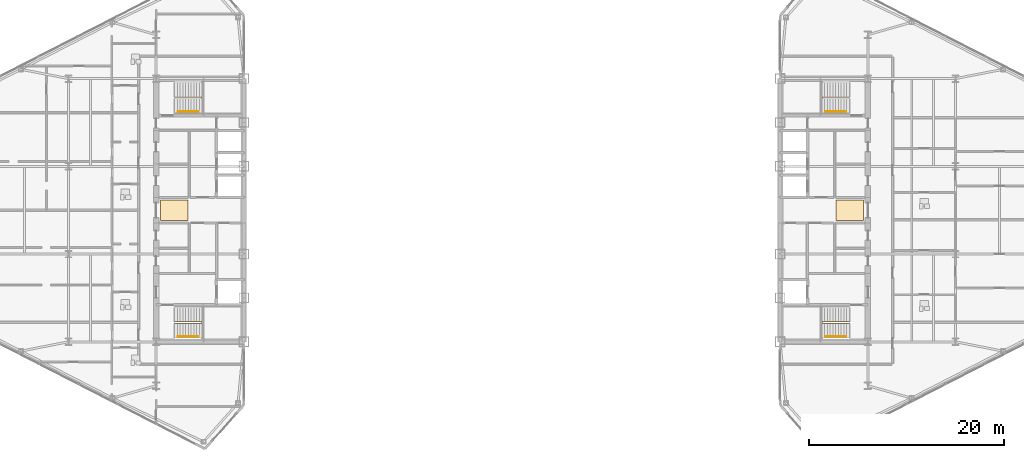
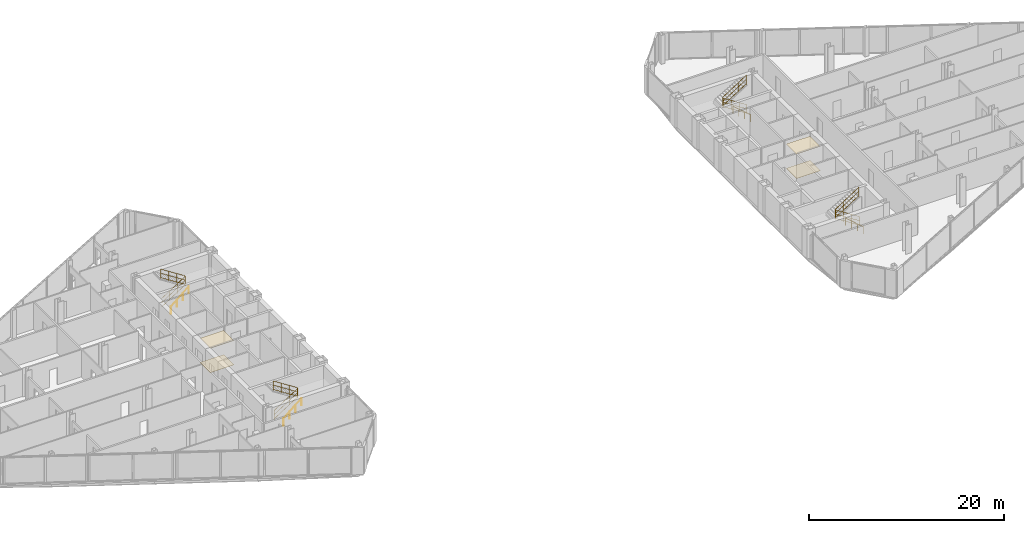
# One storey, part 22 of 23: 8 railings, 4 coverings.
"""IFC4 building model written with IfcOpenShell, lengths in metres."""

from ifc_helpers import new_model, si_unit, direction, frame, origin, origin_2d, place, context, subcontext, project, spatial, polyline, circle, outline, extrude, material, layer, layer_set, type_object, element, save


model = new_model("IFC4")

# Units and contexts
model_context = context("Model", 3, precision=1e-05, world=origin(), true_north=direction((0.0, 1.0)))
body_context = subcontext(model_context, "Body", "Model", "MODEL_VIEW")
ifc_project = project(units=[si_unit("LENGTHUNIT", "METRE"), si_unit("AREAUNIT", "SQUARE_METRE"), si_unit("VOLUMEUNIT", "CUBIC_METRE"), si_unit("PLANEANGLEUNIT", "RADIAN"), si_unit("MASSUNIT", "GRAM", prefix="KILO")], contexts=[model_context])

# Site, building, storey
site_placement = place(None, origin())
site = spatial("IfcSite", under=ifc_project, at=site_placement, CompositionType="ELEMENT")
building_placement = place(site_placement, origin())
building = spatial("IfcBuilding", under=site, at=building_placement, Name="Seokmaru Belvedere", CompositionType="ELEMENT")
storey_placement = place(building_placement, frame((0.0, 0.0, 147.60009765625)))
storey = spatial("IfcBuildingStorey", under=building, at=storey_placement, Name="L39", CompositionType="ELEMENT", Elevation=147.60009765625)

# Coverings
ifc_material_1 = material(Name="Engineered White Oak Timber", Category="wood")
ifc_layer_1 = layer(ifc_material_1, 0.02197265625)
ifc_layer_set_1 = layer_set([ifc_layer_1], Name="Engineered White Oak Timber")
covering_type_1 = type_object("IfcCoveringType", Name="Engineered Oak Residence Floor Finish 22", PredefinedType="FLOORING", material=ifc_layer_set_1)
covering_1_placement = place(storey_placement, origin())
element("IfcCovering", 1, at=covering_1_placement, inside=storey, type_object=covering_type_1, Name="L39 W Foyer Floor Finish", PredefinedType="FLOORING", context=body_context, shape_type="SweptSolid", body=[
    extrude(outline(polyline([(-36.050048828125, -1.050048828125), (-33.25, -1.050048828125), (-33.25, 1.050048828125), (-36.050048828125, 1.050048828125), (-36.050048828125, -1.050048828125)])), origin(), (0.0, 0.0, 1.0), 0.02197265625),
])
covering_2_placement = place(storey_placement, origin())
element("IfcCovering", 2, at=covering_2_placement, inside=storey, type_object=covering_type_1, Name="L39 E Foyer Floor Finish", PredefinedType="FLOORING", context=body_context, shape_type="SweptSolid", body=[
    extrude(outline(polyline([(33.25, -1.050048828125), (36.050048828125, -1.050048828125), (36.050048828125, 1.050048828125), (33.25, 1.050048828125), (33.25, -1.050048828125)])), origin(), (0.0, 0.0, 1.0), 0.02197265625),
])
ifc_material_2 = material(Name="Fire-Rated Gypsum Shaftwall")
ifc_layer_2 = layer(ifc_material_2, 0.02490234375)
ifc_layer_set_2 = layer_set([ifc_layer_2], Name="Fire-Rated Gypsum Shaftwall")
covering_type_2 = type_object("IfcCoveringType", Name="Perforated Acoustic Gypsum Suspended Ceiling 25", PredefinedType="CEILING", material=ifc_layer_set_2)
covering_3_placement = place(storey_placement, frame((0.0, 0.0, 3.02978515625)))
element("IfcCovering", 3, at=covering_3_placement, inside=storey, type_object=covering_type_2, Name="L39 W Lift Foyer Acoustic Ceiling", PredefinedType="CEILING", context=body_context, shape_type="SweptSolid", body=[
    extrude(outline(polyline([(-36.050048828125, -1.050048828125), (-33.25, -1.050048828125), (-33.25, 1.050048828125), (-36.050048828125, 1.050048828125), (-36.050048828125, -1.050048828125)])), origin(), (0.0, 0.0, 1.0), 0.025146484375),
])
covering_4_placement = place(storey_placement, frame((0.0, 0.0, 3.02978515625)))
element("IfcCovering", 4, at=covering_4_placement, inside=storey, type_object=covering_type_2, Name="L39 E Lift Foyer Acoustic Ceiling", PredefinedType="CEILING", context=body_context, shape_type="SweptSolid", body=[
    extrude(outline(polyline([(33.25, -1.050048828125), (36.050048828125, -1.050048828125), (36.050048828125, 1.050048828125), (33.25, 1.050048828125), (33.25, -1.050048828125)])), origin(), (0.0, 0.0, 1.0), 0.025146484375),
])

# Railings
ifc_material_3 = material(Name="Stainless Steel 316", Category="steel")
railing_type_1 = type_object("IfcRailingType", Name="Stainless Steel Wall and Flight Handrail 900", PredefinedType="HANDRAIL", material=ifc_material_3)
for number, where, name in (
    (5, (-34.25, -12.949951171875, 0.0), "L39 Stair ST-W1 Wall Handrail"),
    (6, (-34.25, 10.110107421875, 0.0), "L39 Stair ST-W2 Wall Handrail"),
):
    element("IfcRailing", number, at=place(storey_placement, frame(where)), inside=storey, type_object=railing_type_1, Name=name, PredefinedType="HANDRAIL", context=body_context, shape_type="SweptSolid", body=[
        extrude(circle(Radius=0.02392578125, at=origin_2d()), frame((0.0, 0.0, 0.8759765625), z_axis=(0.759306447245, 0.0, 0.650733216588), x_axis=(0.0, 1.0, 0.0)), (0.0, 0.0, 1.0), 2.765869140625),
        extrude(circle(Radius=0.02099609375, at=origin_2d()), origin(), (0.0, 0.0, 1.0), 0.851806640625),
        extrude(circle(Radius=0.02099609375, at=origin_2d()), frame((0.699951171875, 0.0, 0.599853515625)), (0.0, 0.0, 1.0), 0.851806640625),
        extrude(circle(Radius=0.02099609375, at=origin_2d()), frame((1.400146484375, 0.0, 1.199951171875)), (0.0, 0.0, 1.0), 0.851806640625),
        extrude(circle(Radius=0.02099609375, at=origin_2d()), frame((2.10009765625, 0.0, 1.7998046875)), (0.0, 0.0, 1.0), 0.851806640625),
    ])
for number, where, name in (
    (7, (34.25, -12.949951171875, 0.0), "L39 Stair ST-E1 Wall Handrail"),
    (8, (34.25, 10.110107421875, 0.0), "L39 Stair ST-E2 Wall Handrail"),
):
    element("IfcRailing", number, at=place(storey_placement, frame(where)), inside=storey, type_object=railing_type_1, Name=name, PredefinedType="HANDRAIL", context=body_context, shape_type="SweptSolid", body=[
        extrude(circle(Radius=0.02392578125, at=origin_2d()), frame((0.0, 0.0, 0.8759765625), z_axis=(-0.759306447245, 0.0, 0.650733216588), x_axis=(0.0, -1.0, 0.0)), (0.0, 0.0, 1.0), 2.765869140625),
        extrude(circle(Radius=0.02099609375, at=origin_2d()), origin(), (0.0, 0.0, 1.0), 0.851806640625),
        extrude(circle(Radius=0.02099609375, at=origin_2d()), frame((-0.699951171875, 0.0, 0.599853515625)), (0.0, 0.0, 1.0), 0.851806640625),
        extrude(circle(Radius=0.02099609375, at=origin_2d()), frame((-1.400146484375, 0.0, 1.199951171875)), (0.0, 0.0, 1.0), 0.851806640625),
        extrude(circle(Radius=0.02099609375, at=origin_2d()), frame((-2.10009765625, 0.0, 1.7998046875)), (0.0, 0.0, 1.0), 0.851806640625),
    ])
railing_type_2 = type_object("IfcRailingType", Name="Stair Well and Atrium Steel Guardrail 1200", PredefinedType="GUARDRAIL", material=ifc_material_3)
railing_1_placement = place(storey_placement, frame((-34.60009765625, -11.60009765625, 0.0)))
element("IfcRailing", 9, at=railing_1_placement, inside=storey, type_object=railing_type_2, Name="L39 Stair ST-W1 Inner Well Guardrail", PredefinedType="GUARDRAIL", context=body_context, shape_type="SweptSolid", body=[
    extrude(circle(Radius=0.02392578125, at=origin_2d()), frame((0.0, 0.0, 1.17578125), z_axis=(0.841209454229, 0.0, 0.540709398952), x_axis=(0.0, 1.0, 0.0)), (0.0, 0.0, 1.0), 3.32861328125),
    extrude(circle(Radius=0.02392578125, at=origin_2d()), frame((0.0, 0.0, 0.1201171875), z_axis=(0.841209454229, 0.0, 0.540709398952), x_axis=(0.0, 1.0, 0.0)), (0.0, 0.0, 1.0), 3.32861328125),
    extrude(circle(Radius=0.02392578125, at=origin_2d()), frame((0.0, 0.0, 0.659912109375), z_axis=(0.841209454229, 0.0, 0.540709398952), x_axis=(0.0, 1.0, 0.0)), (0.0, 0.0, 1.0), 3.32861328125),
    extrude(circle(Radius=0.02392578125, at=origin_2d()), frame((2.800048828125, 0.0, 2.9755859375), z_axis=(0.0, 1.0, 0.0), x_axis=(-1.0, 0.0, 0.0)), (0.0, 0.0, 1.0), 0.14013671875),
    extrude(circle(Radius=0.02392578125, at=origin_2d()), frame((2.800048828125, 0.0, 1.919921875), z_axis=(0.0, 1.0, 0.0), x_axis=(-1.0, 0.0, 0.0)), (0.0, 0.0, 1.0), 0.14013671875),
    extrude(circle(Radius=0.02392578125, at=origin_2d()), frame((2.800048828125, 0.0, 2.459716796875), z_axis=(0.0, 1.0, 0.0), x_axis=(-1.0, 0.0, 0.0)), (0.0, 0.0, 1.0), 0.14013671875),
    extrude(circle(Radius=0.02392578125, at=origin_2d()), frame((2.800048828125, 0.14013671875, 2.9755859375), z_axis=(-0.841176092368, 0.0, 0.540761298198), x_axis=(0.0, -1.0, 0.0)), (0.0, 0.0, 1.0), 3.32861328125),
    extrude(circle(Radius=0.02392578125, at=origin_2d()), frame((2.800048828125, 0.14013671875, 1.919921875), z_axis=(-0.841176092368, 0.0, 0.540761298198), x_axis=(0.0, -1.0, 0.0)), (0.0, 0.0, 1.0), 3.32861328125),
    extrude(circle(Radius=0.02392578125, at=origin_2d()), frame((2.800048828125, 0.14013671875, 2.459716796875), z_axis=(-0.841176092368, 0.0, 0.540761298198), x_axis=(0.0, -1.0, 0.0)), (0.0, 0.0, 1.0), 3.32861328125),
    extrude(circle(Radius=0.02099609375, at=origin_2d()), origin(), (0.0, 0.0, 1.0), 1.15185546875),
    extrude(circle(Radius=0.02099609375, at=origin_2d()), frame((0.933349609375, 0.0, 0.599853515625)), (0.0, 0.0, 1.0), 1.15185546875),
    extrude(circle(Radius=0.02099609375, at=origin_2d()), frame((1.86669921875, 0.0, 1.199951171875)), (0.0, 0.0, 1.0), 1.15185546875),
    extrude(circle(Radius=0.02099609375, at=origin_2d()), frame((2.800048828125, 0.0, 1.7998046875)), (0.0, 0.0, 1.0), 1.15185546875),
    extrude(circle(Radius=0.02099609375, at=origin_2d()), frame((2.800048828125, 0.14013671875, 1.7998046875)), (0.0, 0.0, 1.0), 1.15185546875),
    extrude(circle(Radius=0.02099609375, at=origin_2d()), frame((1.86669921875, 0.14013671875, 2.39990234375)), (0.0, 0.0, 1.0), 1.15185546875),
    extrude(circle(Radius=0.02099609375, at=origin_2d()), frame((0.933349609375, 0.14013671875, 2.999755859375)), (0.0, 0.0, 1.0), 1.15185546875),
    extrude(circle(Radius=0.02099609375, at=origin_2d()), frame((0.0, 0.14013671875, 3.599853515625)), (0.0, 0.0, 1.0), 1.15185546875),
])
railing_2_placement = place(storey_placement, frame((-34.60009765625, 11.4599609375, 0.0)))
element("IfcRailing", 10, at=railing_2_placement, inside=storey, type_object=railing_type_2, Name="L39 Stair ST-W2 Inner Well Guardrail", PredefinedType="GUARDRAIL", context=body_context, shape_type="SweptSolid", body=[
    extrude(circle(Radius=0.02392578125, at=origin_2d()), frame((0.0, 0.0, 1.17578125), z_axis=(0.841209454229, 0.0, 0.540709398952), x_axis=(0.0, 1.0, 0.0)), (0.0, 0.0, 1.0), 3.32861328125),
    extrude(circle(Radius=0.02392578125, at=origin_2d()), frame((0.0, 0.0, 0.1201171875), z_axis=(0.841209454229, 0.0, 0.540709398952), x_axis=(0.0, 1.0, 0.0)), (0.0, 0.0, 1.0), 3.32861328125),
    extrude(circle(Radius=0.02392578125, at=origin_2d()), frame((0.0, 0.0, 0.659912109375), z_axis=(0.841209454229, 0.0, 0.540709398952), x_axis=(0.0, 1.0, 0.0)), (0.0, 0.0, 1.0), 3.32861328125),
    extrude(circle(Radius=0.02392578125, at=origin_2d()), frame((2.800048828125, 0.0, 2.9755859375), z_axis=(0.0, 1.0, 0.0), x_axis=(-1.0, 0.0, 0.0)), (0.0, 0.0, 1.0), 0.14013671875),
    extrude(circle(Radius=0.02392578125, at=origin_2d()), frame((2.800048828125, 0.0, 1.919921875), z_axis=(0.0, 1.0, 0.0), x_axis=(-1.0, 0.0, 0.0)), (0.0, 0.0, 1.0), 0.14013671875),
    extrude(circle(Radius=0.02392578125, at=origin_2d()), frame((2.800048828125, 0.0, 2.459716796875), z_axis=(0.0, 1.0, 0.0), x_axis=(-1.0, 0.0, 0.0)), (0.0, 0.0, 1.0), 0.14013671875),
    extrude(circle(Radius=0.02392578125, at=origin_2d()), frame((2.800048828125, 0.14013671875, 2.9755859375), z_axis=(-0.841176092368, 0.0, 0.540761298198), x_axis=(0.0, -1.0, 0.0)), (0.0, 0.0, 1.0), 3.32861328125),
    extrude(circle(Radius=0.02392578125, at=origin_2d()), frame((2.800048828125, 0.14013671875, 1.919921875), z_axis=(-0.841176092368, 0.0, 0.540761298198), x_axis=(0.0, -1.0, 0.0)), (0.0, 0.0, 1.0), 3.32861328125),
    extrude(circle(Radius=0.02392578125, at=origin_2d()), frame((2.800048828125, 0.14013671875, 2.459716796875), z_axis=(-0.841176092368, 0.0, 0.540761298198), x_axis=(0.0, -1.0, 0.0)), (0.0, 0.0, 1.0), 3.32861328125),
    extrude(circle(Radius=0.02099609375, at=origin_2d()), origin(), (0.0, 0.0, 1.0), 1.15185546875),
    extrude(circle(Radius=0.02099609375, at=origin_2d()), frame((0.933349609375, 0.0, 0.599853515625)), (0.0, 0.0, 1.0), 1.15185546875),
    extrude(circle(Radius=0.02099609375, at=origin_2d()), frame((1.86669921875, 0.0, 1.199951171875)), (0.0, 0.0, 1.0), 1.15185546875),
    extrude(circle(Radius=0.02099609375, at=origin_2d()), frame((2.800048828125, 0.0, 1.7998046875)), (0.0, 0.0, 1.0), 1.15185546875),
    extrude(circle(Radius=0.02099609375, at=origin_2d()), frame((2.800048828125, 0.14013671875, 1.7998046875)), (0.0, 0.0, 1.0), 1.15185546875),
    extrude(circle(Radius=0.02099609375, at=origin_2d()), frame((1.86669921875, 0.14013671875, 2.39990234375)), (0.0, 0.0, 1.0), 1.15185546875),
    extrude(circle(Radius=0.02099609375, at=origin_2d()), frame((0.933349609375, 0.14013671875, 2.999755859375)), (0.0, 0.0, 1.0), 1.15185546875),
    extrude(circle(Radius=0.02099609375, at=origin_2d()), frame((0.0, 0.14013671875, 3.599853515625)), (0.0, 0.0, 1.0), 1.15185546875),
])
railing_3_placement = place(storey_placement, frame((34.60009765625, -11.60009765625, 0.0)))
element("IfcRailing", 11, at=railing_3_placement, inside=storey, type_object=railing_type_2, Name="L39 Stair ST-E1 Inner Well Guardrail", PredefinedType="GUARDRAIL", context=body_context, shape_type="SweptSolid", body=[
    extrude(circle(Radius=0.02392578125, at=origin_2d()), frame((0.0, 0.0, 1.17578125), z_axis=(-0.841209454229, 0.0, 0.540709398952), x_axis=(0.0, -1.0, 0.0)), (0.0, 0.0, 1.0), 3.32861328125),
    extrude(circle(Radius=0.02392578125, at=origin_2d()), frame((0.0, 0.0, 0.1201171875), z_axis=(-0.841209454229, 0.0, 0.540709398952), x_axis=(0.0, -1.0, 0.0)), (0.0, 0.0, 1.0), 3.32861328125),
    extrude(circle(Radius=0.02392578125, at=origin_2d()), frame((0.0, 0.0, 0.659912109375), z_axis=(-0.841209454229, 0.0, 0.540709398952), x_axis=(0.0, -1.0, 0.0)), (0.0, 0.0, 1.0), 3.32861328125),
    extrude(circle(Radius=0.02392578125, at=origin_2d()), frame((-2.800048828125, 0.0, 2.9755859375), z_axis=(0.0, 1.0, 0.0), x_axis=(-1.0, 0.0, 0.0)), (0.0, 0.0, 1.0), 0.14013671875),
    extrude(circle(Radius=0.02392578125, at=origin_2d()), frame((-2.800048828125, 0.0, 1.919921875), z_axis=(0.0, 1.0, 0.0), x_axis=(-1.0, 0.0, 0.0)), (0.0, 0.0, 1.0), 0.14013671875),
    extrude(circle(Radius=0.02392578125, at=origin_2d()), frame((-2.800048828125, 0.0, 2.459716796875), z_axis=(0.0, 1.0, 0.0), x_axis=(-1.0, 0.0, 0.0)), (0.0, 0.0, 1.0), 0.14013671875),
    extrude(circle(Radius=0.02392578125, at=origin_2d()), frame((-2.800048828125, 0.14013671875, 2.9755859375), z_axis=(0.841176092368, 0.0, 0.540761298198), x_axis=(0.0, 1.0, 0.0)), (0.0, 0.0, 1.0), 3.32861328125),
    extrude(circle(Radius=0.02392578125, at=origin_2d()), frame((-2.800048828125, 0.14013671875, 1.919921875), z_axis=(0.841176092368, 0.0, 0.540761298198), x_axis=(0.0, 1.0, 0.0)), (0.0, 0.0, 1.0), 3.32861328125),
    extrude(circle(Radius=0.02392578125, at=origin_2d()), frame((-2.800048828125, 0.14013671875, 2.459716796875), z_axis=(0.841176092368, 0.0, 0.540761298198), x_axis=(0.0, 1.0, 0.0)), (0.0, 0.0, 1.0), 3.32861328125),
    extrude(circle(Radius=0.02099609375, at=origin_2d()), origin(), (0.0, 0.0, 1.0), 1.15185546875),
    extrude(circle(Radius=0.02099609375, at=origin_2d()), frame((-0.933349609375, 0.0, 0.599853515625)), (0.0, 0.0, 1.0), 1.15185546875),
    extrude(circle(Radius=0.02099609375, at=origin_2d()), frame((-1.86669921875, 0.0, 1.199951171875)), (0.0, 0.0, 1.0), 1.15185546875),
    extrude(circle(Radius=0.02099609375, at=origin_2d()), frame((-2.800048828125, 0.0, 1.7998046875)), (0.0, 0.0, 1.0), 1.15185546875),
    extrude(circle(Radius=0.02099609375, at=origin_2d()), frame((-2.800048828125, 0.14013671875, 1.7998046875)), (0.0, 0.0, 1.0), 1.15185546875),
    extrude(circle(Radius=0.02099609375, at=origin_2d()), frame((-1.86669921875, 0.14013671875, 2.39990234375)), (0.0, 0.0, 1.0), 1.15185546875),
    extrude(circle(Radius=0.02099609375, at=origin_2d()), frame((-0.933349609375, 0.14013671875, 2.999755859375)), (0.0, 0.0, 1.0), 1.15185546875),
    extrude(circle(Radius=0.02099609375, at=origin_2d()), frame((0.0, 0.14013671875, 3.599853515625)), (0.0, 0.0, 1.0), 1.15185546875),
])
railing_4_placement = place(storey_placement, frame((34.60009765625, 11.4599609375, 0.0)))
element("IfcRailing", 12, at=railing_4_placement, inside=storey, type_object=railing_type_2, Name="L39 Stair ST-E2 Inner Well Guardrail", PredefinedType="GUARDRAIL", context=body_context, shape_type="SweptSolid", body=[
    extrude(circle(Radius=0.02392578125, at=origin_2d()), frame((0.0, 0.0, 1.17578125), z_axis=(-0.841209454229, 0.0, 0.540709398952), x_axis=(0.0, -1.0, 0.0)), (0.0, 0.0, 1.0), 3.32861328125),
    extrude(circle(Radius=0.02392578125, at=origin_2d()), frame((0.0, 0.0, 0.1201171875), z_axis=(-0.841209454229, 0.0, 0.540709398952), x_axis=(0.0, -1.0, 0.0)), (0.0, 0.0, 1.0), 3.32861328125),
    extrude(circle(Radius=0.02392578125, at=origin_2d()), frame((0.0, 0.0, 0.659912109375), z_axis=(-0.841209454229, 0.0, 0.540709398952), x_axis=(0.0, -1.0, 0.0)), (0.0, 0.0, 1.0), 3.32861328125),
    extrude(circle(Radius=0.02392578125, at=origin_2d()), frame((-2.800048828125, 0.0, 2.9755859375), z_axis=(0.0, 1.0, 0.0), x_axis=(-1.0, 0.0, 0.0)), (0.0, 0.0, 1.0), 0.14013671875),
    extrude(circle(Radius=0.02392578125, at=origin_2d()), frame((-2.800048828125, 0.0, 1.919921875), z_axis=(0.0, 1.0, 0.0), x_axis=(-1.0, 0.0, 0.0)), (0.0, 0.0, 1.0), 0.14013671875),
    extrude(circle(Radius=0.02392578125, at=origin_2d()), frame((-2.800048828125, 0.0, 2.459716796875), z_axis=(0.0, 1.0, 0.0), x_axis=(-1.0, 0.0, 0.0)), (0.0, 0.0, 1.0), 0.14013671875),
    extrude(circle(Radius=0.02392578125, at=origin_2d()), frame((-2.800048828125, 0.14013671875, 2.9755859375), z_axis=(0.841176092368, 0.0, 0.540761298198), x_axis=(0.0, 1.0, 0.0)), (0.0, 0.0, 1.0), 3.32861328125),
    extrude(circle(Radius=0.02392578125, at=origin_2d()), frame((-2.800048828125, 0.14013671875, 1.919921875), z_axis=(0.841176092368, 0.0, 0.540761298198), x_axis=(0.0, 1.0, 0.0)), (0.0, 0.0, 1.0), 3.32861328125),
    extrude(circle(Radius=0.02392578125, at=origin_2d()), frame((-2.800048828125, 0.14013671875, 2.459716796875), z_axis=(0.841176092368, 0.0, 0.540761298198), x_axis=(0.0, 1.0, 0.0)), (0.0, 0.0, 1.0), 3.32861328125),
    extrude(circle(Radius=0.02099609375, at=origin_2d()), origin(), (0.0, 0.0, 1.0), 1.15185546875),
    extrude(circle(Radius=0.02099609375, at=origin_2d()), frame((-0.933349609375, 0.0, 0.599853515625)), (0.0, 0.0, 1.0), 1.15185546875),
    extrude(circle(Radius=0.02099609375, at=origin_2d()), frame((-1.86669921875, 0.0, 1.199951171875)), (0.0, 0.0, 1.0), 1.15185546875),
    extrude(circle(Radius=0.02099609375, at=origin_2d()), frame((-2.800048828125, 0.0, 1.7998046875)), (0.0, 0.0, 1.0), 1.15185546875),
    extrude(circle(Radius=0.02099609375, at=origin_2d()), frame((-2.800048828125, 0.14013671875, 1.7998046875)), (0.0, 0.0, 1.0), 1.15185546875),
    extrude(circle(Radius=0.02099609375, at=origin_2d()), frame((-1.86669921875, 0.14013671875, 2.39990234375)), (0.0, 0.0, 1.0), 1.15185546875),
    extrude(circle(Radius=0.02099609375, at=origin_2d()), frame((-0.933349609375, 0.14013671875, 2.999755859375)), (0.0, 0.0, 1.0), 1.15185546875),
    extrude(circle(Radius=0.02099609375, at=origin_2d()), frame((0.0, 0.14013671875, 3.599853515625)), (0.0, 0.0, 1.0), 1.15185546875),
])

save(model, "model.ifc")
